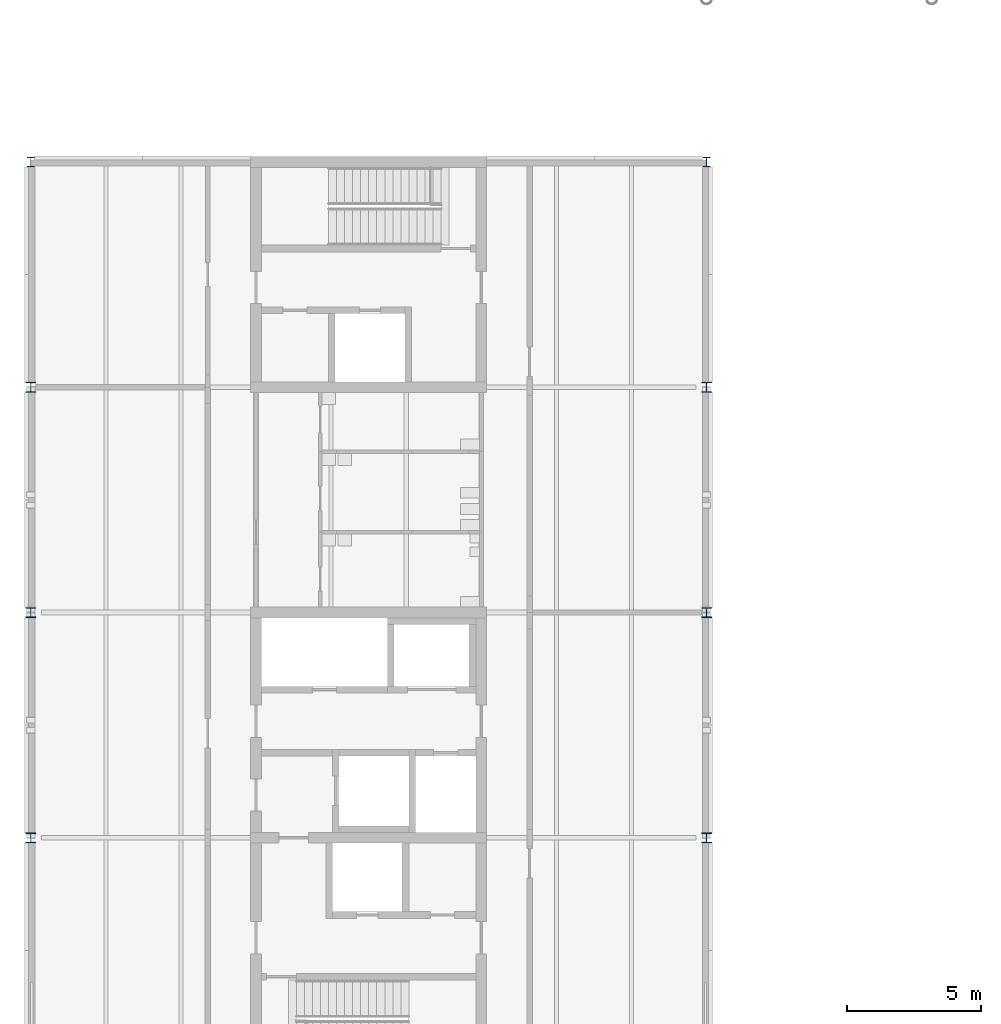
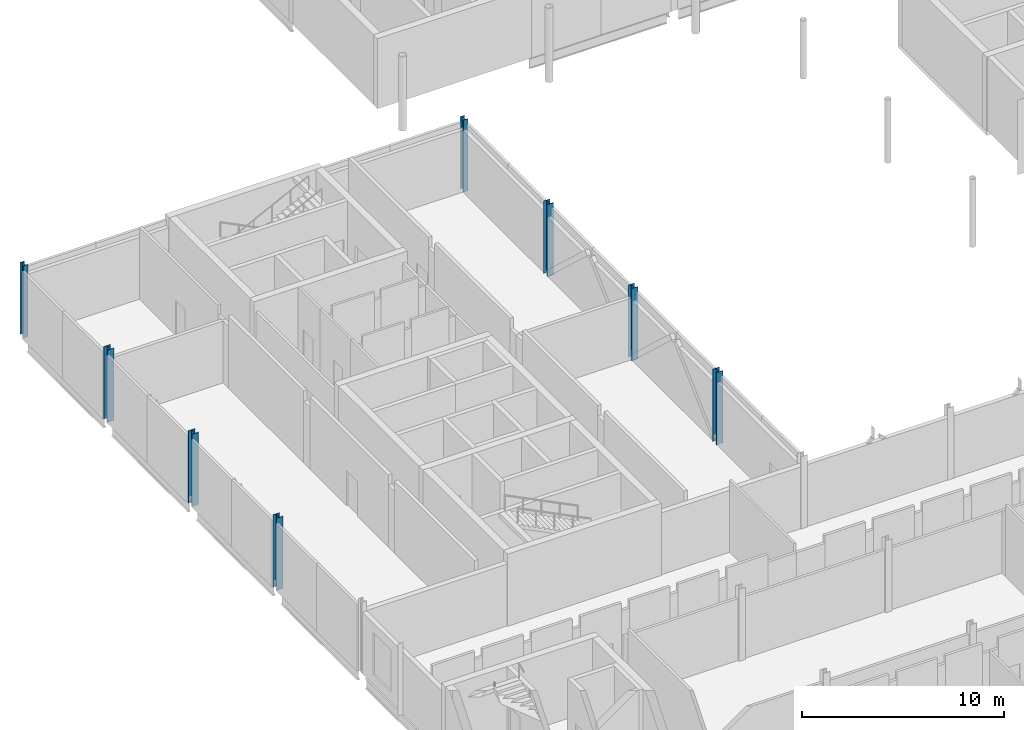
# One storey, part 3 of 89: 8 columns.
"""IFC4 building model written with IfcOpenShell, lengths in metres."""

from ifc_helpers import new_model, si_unit, direction, frame, origin, origin_2d, place, context, subcontext, project, spatial, i_section, extrude, material, material_profile, profile_set, type_object, element, save


model = new_model("IFC4")

# Units and contexts
model_context = context("Model", 3, precision=1e-05, world=origin(), true_north=direction((0.0, 1.0)))
body_context = subcontext(model_context, "Body", "Model", "MODEL_VIEW")
ifc_project = project(units=[si_unit("LENGTHUNIT", "METRE"), si_unit("AREAUNIT", "SQUARE_METRE"), si_unit("VOLUMEUNIT", "CUBIC_METRE"), si_unit("PLANEANGLEUNIT", "RADIAN"), si_unit("MASSUNIT", "GRAM", prefix="KILO")], contexts=[model_context])

# Site, building, storey
site_placement = place(None, origin())
site = spatial("IfcSite", under=ifc_project, at=site_placement, CompositionType="ELEMENT")
building_placement = place(site_placement, origin())
building = spatial("IfcBuilding", under=site, at=building_placement, Name="Hlaing Beacon Police Headquarters", CompositionType="ELEMENT")
storey_placement = place(building_placement, frame((0.0, 0.0, 9.89990234375)))
storey = spatial("IfcBuildingStorey", under=building, at=storey_placement, Name="L02", CompositionType="ELEMENT", Elevation=9.89990234375)

# Columns
ifc_material_1 = material(Name="Steel ASTM A992 Grade 50", Category="steel")
ifc_material_profile_1 = material_profile(ifc_material_1, i_section(OverallWidth=0.373291015625, OverallDepth=0.373291015625, WebThickness=0.016357421875, FlangeThickness=0.026123046875, FilletRadius=0.01513671875, at=origin_2d()), Name="W14x132")
ifc_profile_set_1 = profile_set([ifc_material_profile_1], Name="Steel ASTM A992 Grade 50")
column_type_1 = type_object("IfcColumnType", Name="Steel column W14x132", PredefinedType="COLUMN", material=ifc_profile_set_1)
for number, where, z_axis, x_axis, name in (
    (1, (8.39990234375, 42.0, 0.0), (0.0, 0.0, 1.0), (1.0, 0.0, 0.0), "STR-COL-L02-B6"),
    (2, (8.39990234375, 50.39990234375, 0.0), (0.0, 0.0, 1.0), (1.0, 0.0, 0.0), "STR-COL-L02-B7"),
    (3, (8.39990234375, 58.800048828125, 0.0), (0.0, 0.0, 1.0), (1.0, 0.0, 0.0), "STR-COL-L02-B8"),
    (4, (33.60009765625, 42.0, 0.0), (0.0, 0.0, 1.0), (1.0, 0.0, 0.0), "STR-COL-L02-E6"),
    (5, (33.60009765625, 50.39990234375, 0.0), (0.0, 0.0, 1.0), (1.0, 0.0, 0.0), "STR-COL-L02-E7"),
    (6, (33.60009765625, 58.800048828125, 0.0), (0.0, 0.0, 1.0), (1.0, 0.0, 0.0), "STR-COL-L02-E8"),
):
    element("IfcColumn", number, at=place(storey_placement, frame(where, z_axis=z_axis, x_axis=x_axis)), inside=storey, type_object=column_type_1, Name=name, PredefinedType="COLUMN", context=body_context, shape_type="SweptSolid", body=[
        extrude(i_section(OverallWidth=0.373291015625, OverallDepth=0.373291015625, WebThickness=0.016357421875, FlangeThickness=0.026123046875, FilletRadius=0.01513671875, at=origin_2d()), origin(), (0.0, 0.0, 1.0), 4.3701171875),
    ])
ifc_material_2 = material(Name="Steel ASTM A992 Grade 50", Category="steel")
ifc_material_profile_2 = material_profile(ifc_material_2, i_section(OverallWidth=0.256591796875, OverallDepth=0.360595703125, WebThickness=0.011474609375, FlangeThickness=0.02001953125, FilletRadius=0.01513671875, at=origin_2d()), Name="W14x74")
ifc_profile_set_2 = profile_set([ifc_material_profile_2], Name="Steel ASTM A992 Grade 50")
column_type_2 = type_object("IfcColumnType", Name="Steel column W14x74", PredefinedType="COLUMN", material=ifc_profile_set_2)
for number, where, z_axis, x_axis, name in (
    (7, (8.39990234375, 67.199951171875, 0.0), (0.0, 0.0, 1.0), (1.0, 0.0, 0.0), "STR-COL-L02-B9"),
    (8, (33.60009765625, 67.199951171875, 0.0), (0.0, 0.0, 1.0), (1.0, 0.0, 0.0), "STR-COL-L02-E9"),
):
    element("IfcColumn", number, at=place(storey_placement, frame(where, z_axis=z_axis, x_axis=x_axis)), inside=storey, type_object=column_type_2, Name=name, PredefinedType="COLUMN", context=body_context, shape_type="SweptSolid", body=[
        extrude(i_section(OverallWidth=0.256591796875, OverallDepth=0.360595703125, WebThickness=0.011474609375, FlangeThickness=0.02001953125, FilletRadius=0.01513671875, at=origin_2d()), origin(), (0.0, 0.0, 1.0), 4.3701171875),
    ])

save(model, "model.ifc")
